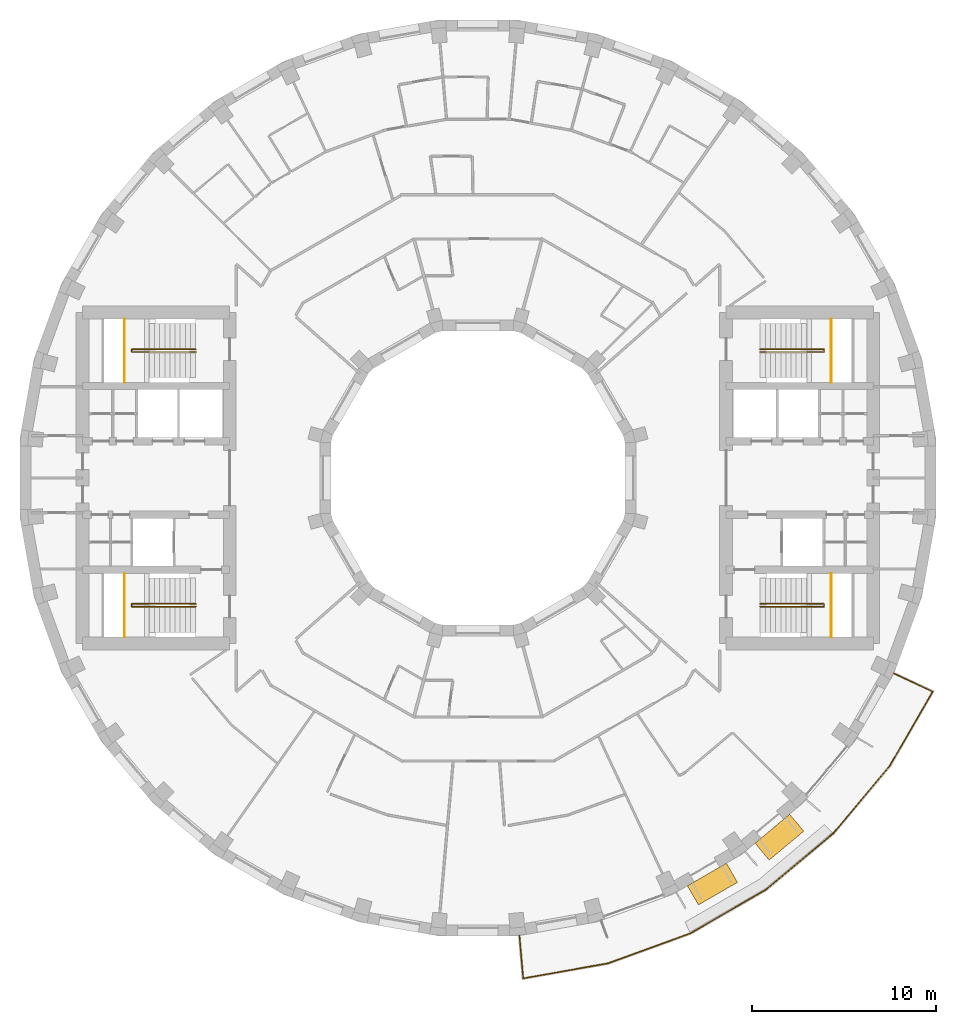
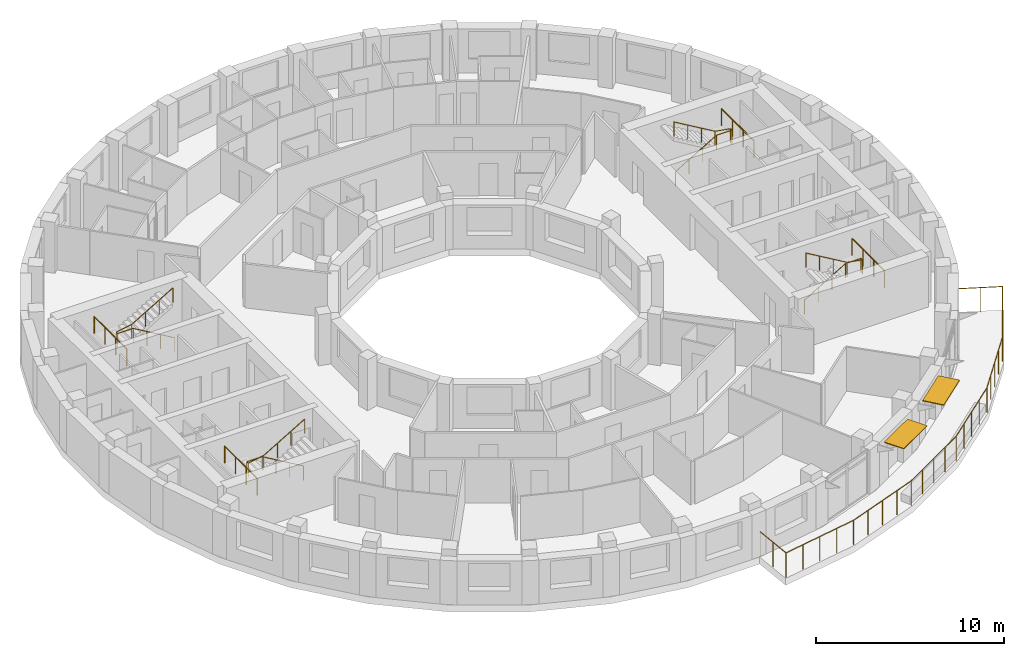
# One storey, part 15 of 15: 9 railings, 2 shading devices.
"""IFC4 building model written with IfcOpenShell, lengths in metres."""

from ifc_helpers import new_model, si_unit, direction, frame, origin, origin_2d, place, context, subcontext, project, spatial, rectangle, circle, extrude, material, layer, layer_set, type_object, element, save


model = new_model("IFC4")

# Units and contexts
model_context = context("Model", 3, precision=1e-05, world=origin(), true_north=direction((0.0, 1.0)))
body_context = subcontext(model_context, "Body", "Model", "MODEL_VIEW")
ifc_project = project(units=[si_unit("LENGTHUNIT", "METRE"), si_unit("AREAUNIT", "SQUARE_METRE"), si_unit("VOLUMEUNIT", "CUBIC_METRE"), si_unit("PLANEANGLEUNIT", "RADIAN"), si_unit("MASSUNIT", "GRAM", prefix="KILO")], contexts=[model_context])

# Site, building, storey
site_placement = place(None, origin())
site = spatial("IfcSite", under=ifc_project, at=site_placement, CompositionType="ELEMENT")
building_placement = place(site_placement, origin())
building = spatial("IfcBuilding", under=site, at=building_placement, Name="Saqina Gate Tower", CompositionType="ELEMENT")
storey_placement = place(building_placement, frame((0.0, 0.0, 160.800048828125)))
storey = spatial("IfcBuildingStorey", under=building, at=storey_placement, Name="L45", CompositionType="ELEMENT", Elevation=160.800048828125)

# Shading devices
ifc_material_1 = material(Name="Aluminium and fabric awning", Category="aluminium")
ifc_layer = layer(ifc_material_1, 0.050048828125)
ifc_layer_set = layer_set([ifc_layer], Name="AW-TERRACE")
shading_device_type = type_object("IfcShadingDeviceType", Name="AW-TERRACE", PredefinedType="AWNING", material=ifc_layer_set)
for number, where, z_axis, x_axis, name in (
    (1, (12.75244140625, -22.087890625, 2.52490234375), (0.0, 0.0, 1.0), (0.866025403784, 0.5, 0.0), "Terrace awning L45 facet 30"),
    (2, (16.394287109375, -19.537841796875, 2.52490234375), (0.0, 0.0, 1.0), (0.766044443119, 0.642787609687, 0.0), "Terrace awning L45 facet 31"),
):
    element("IfcShadingDevice", number, at=place(storey_placement, frame(where, z_axis=z_axis, x_axis=x_axis)), inside=storey, type_object=shading_device_type, Name=name, PredefinedType="AWNING", context=body_context, shape_type="SweptSolid", body=[
        extrude(rectangle(XDim=2.44970703125, YDim=1.199951171875, at=origin_2d()), origin(), (0.0, 0.0, 1.0), 0.050048828125),
    ])

# Railings
ifc_material_2 = material(Name="Stainless steel", Category="steel")
railing_type_1 = type_object("IfcRailingType", Name="RL-TERRACE", PredefinedType="GUARDRAIL", material=ifc_material_2)
railing_1_placement = place(storey_placement, frame((2.25341796875, -24.838134765625, 0.0)))
element("IfcRailing", 3, at=railing_1_placement, inside=storey, type_object=railing_type_1, Name="Terrace guard L45", PredefinedType="GUARDRAIL", context=body_context, shape_type="SweptSolid", body=[
    extrude(circle(Radius=0.02392578125, at=origin_2d()), frame((0.0, 0.0, 1.576171875), z_axis=(0.087172021187, -0.996193273779, 0.0), x_axis=(0.996193273779, 0.087172021187, 0.0)), (0.0, 0.0, 1.0), 2.388916015625),
    extrude(circle(Radius=0.02392578125, at=origin_2d()), frame((0.208251953125, -2.3798828125, 1.576171875), z_axis=(0.984544937317, 0.175132139837, 0.0), x_axis=(-0.175132139837, 0.984544937317, 0.0)), (0.0, 0.0, 1.0), 4.68408203125),
    extrude(circle(Radius=0.02392578125, at=origin_2d()), frame((4.81982421875, -1.5595703125, 1.576171875), z_axis=(0.939688638318, 0.342031084868, 0.0), x_axis=(-0.342031084868, 0.939688638318, 0.0)), (0.0, 0.0, 1.0), 4.763916015625),
    extrude(circle(Radius=0.02392578125, at=origin_2d()), frame((9.29638671875, 0.06982421875, 1.576171875), z_axis=(0.866026842905, 0.499997507361, 0.0), x_axis=(-0.499997507361, 0.866026842905, 0.0)), (0.0, 0.0, 1.0), 4.763671875),
    extrude(circle(Radius=0.02392578125, at=origin_2d()), frame((13.421875, 2.45166015625, 1.576171875), z_axis=(0.766045003037, 0.642786942402, 0.0), x_axis=(-0.642786942402, 0.766045003037, 0.0)), (0.0, 0.0, 1.0), 4.763671875),
    extrude(circle(Radius=0.02392578125, at=origin_2d()), frame((17.071044921875, 5.513671875, 1.576171875), z_axis=(0.642786942402, 0.766045003037, 0.0), x_axis=(-0.766045003037, 0.642786942402, 0.0)), (0.0, 0.0, 1.0), 4.763671875),
    extrude(circle(Radius=0.02392578125, at=origin_2d()), frame((20.133056640625, 9.162841796875, 1.576171875), z_axis=(0.501305396981, 0.865270419555, 0.0), x_axis=(-0.865270419555, 0.501305396981, 0.0)), (0.0, 0.0, 1.0), 4.68408203125),
    extrude(circle(Radius=0.02392578125, at=origin_2d()), frame((22.481201171875, 13.2158203125, 1.576171875), z_axis=(-0.906277108403, 0.422684046048, 0.0), x_axis=(-0.422684046048, -0.906277108403, 0.0)), (0.0, 0.0, 1.0), 2.388916015625),
    extrude(circle(Radius=0.02099609375, at=origin_2d()), origin(), (0.0, 0.0, 1.0), 1.552001953125),
    extrude(circle(Radius=0.02099609375, at=origin_2d()), frame((0.10400390625, -1.18994140625, 0.0)), (0.0, 0.0, 1.0), 1.552001953125),
    extrude(circle(Radius=0.02099609375, at=origin_2d()), frame((0.208251953125, -2.3798828125, 0.0)), (0.0, 0.0, 1.0), 1.552001953125),
    extrude(circle(Radius=0.02099609375, at=origin_2d()), frame((1.361083984375, -2.1748046875, 0.0)), (0.0, 0.0, 1.0), 1.552001953125),
    extrude(circle(Radius=0.02099609375, at=origin_2d()), frame((2.51416015625, -1.9697265625, 0.0)), (0.0, 0.0, 1.0), 1.552001953125),
    extrude(circle(Radius=0.02099609375, at=origin_2d()), frame((3.6669921875, -1.7646484375, 0.0)), (0.0, 0.0, 1.0), 1.552001953125),
    extrude(circle(Radius=0.02099609375, at=origin_2d()), frame((4.81982421875, -1.5595703125, 0.0)), (0.0, 0.0, 1.0), 1.552001953125),
    extrude(circle(Radius=0.02099609375, at=origin_2d()), frame((5.93896484375, -1.15234375, 0.0)), (0.0, 0.0, 1.0), 1.552001953125),
    extrude(circle(Radius=0.02099609375, at=origin_2d()), frame((7.05810546875, -0.744873046875, 0.0)), (0.0, 0.0, 1.0), 1.552001953125),
    extrude(circle(Radius=0.02099609375, at=origin_2d()), frame((8.17724609375, -0.33740234375, 0.0)), (0.0, 0.0, 1.0), 1.552001953125),
    extrude(circle(Radius=0.02099609375, at=origin_2d()), frame((9.29638671875, 0.06982421875, 0.0)), (0.0, 0.0, 1.0), 1.552001953125),
    extrude(circle(Radius=0.02099609375, at=origin_2d()), frame((10.32763671875, 0.665283203125, 0.0)), (0.0, 0.0, 1.0), 1.552001953125),
    extrude(circle(Radius=0.02099609375, at=origin_2d()), frame((11.359130859375, 1.2607421875, 0.0)), (0.0, 0.0, 1.0), 1.552001953125),
    extrude(circle(Radius=0.02099609375, at=origin_2d()), frame((12.390625, 1.856201171875, 0.0)), (0.0, 0.0, 1.0), 1.552001953125),
    extrude(circle(Radius=0.02099609375, at=origin_2d()), frame((13.421875, 2.45166015625, 0.0)), (0.0, 0.0, 1.0), 1.552001953125),
    extrude(circle(Radius=0.02099609375, at=origin_2d()), frame((14.334228515625, 3.21728515625, 0.0)), (0.0, 0.0, 1.0), 1.552001953125),
    extrude(circle(Radius=0.02099609375, at=origin_2d()), frame((15.24658203125, 3.982666015625, 0.0)), (0.0, 0.0, 1.0), 1.552001953125),
    extrude(circle(Radius=0.02099609375, at=origin_2d()), frame((16.15869140625, 4.748046875, 0.0)), (0.0, 0.0, 1.0), 1.552001953125),
    extrude(circle(Radius=0.02099609375, at=origin_2d()), frame((17.071044921875, 5.513671875, 0.0)), (0.0, 0.0, 1.0), 1.552001953125),
    extrude(circle(Radius=0.02099609375, at=origin_2d()), frame((17.83642578125, 6.426025390625, 0.0)), (0.0, 0.0, 1.0), 1.552001953125),
    extrude(circle(Radius=0.02099609375, at=origin_2d()), frame((18.60205078125, 7.33837890625, 0.0)), (0.0, 0.0, 1.0), 1.552001953125),
    extrude(circle(Radius=0.02099609375, at=origin_2d()), frame((19.36767578125, 8.25048828125, 0.0)), (0.0, 0.0, 1.0), 1.552001953125),
    extrude(circle(Radius=0.02099609375, at=origin_2d()), frame((20.133056640625, 9.162841796875, 0.0)), (0.0, 0.0, 1.0), 1.552001953125),
    extrude(circle(Radius=0.02099609375, at=origin_2d()), frame((20.72021484375, 10.176025390625, 0.0)), (0.0, 0.0, 1.0), 1.552001953125),
    extrude(circle(Radius=0.02099609375, at=origin_2d()), frame((21.30712890625, 11.189453125, 0.0)), (0.0, 0.0, 1.0), 1.552001953125),
    extrude(circle(Radius=0.02099609375, at=origin_2d()), frame((21.89404296875, 12.20263671875, 0.0)), (0.0, 0.0, 1.0), 1.552001953125),
    extrude(circle(Radius=0.02099609375, at=origin_2d()), frame((22.481201171875, 13.2158203125, 0.0)), (0.0, 0.0, 1.0), 1.552001953125),
    extrude(circle(Radius=0.02099609375, at=origin_2d()), frame((21.398681640625, 13.720703125, 0.0)), (0.0, 0.0, 1.0), 1.552001953125),
    extrude(circle(Radius=0.02099609375, at=origin_2d()), frame((20.316162109375, 14.2255859375, 0.0)), (0.0, 0.0, 1.0), 1.552001953125),
])
ifc_material_3 = material(Name="Stainless steel", Category="steel")
railing_type_2 = type_object("IfcRailingType", Name="STAIR GUARD", PredefinedType="GUARDRAIL", material=ifc_material_3)
railing_2_placement = place(storey_placement, frame((19.219970703125, 5.199951171875, 1.64990234375)))
element("IfcRailing", 4, at=railing_2_placement, inside=storey, type_object=railing_type_2, Name="STAIR GUARD", PredefinedType="GUARDRAIL", context=body_context, shape_type="SweptSolid", body=[
    extrude(circle(Radius=0.02392578125, at=origin_2d()), frame((0.0, 0.0, 1.076171875), z_axis=(0.0, 1.0, 0.0), x_axis=(-1.0, 0.0, 0.0)), (0.0, 0.0, 1.0), 3.449951171875),
    extrude(circle(Radius=0.02099609375, at=origin_2d()), origin(), (0.0, 0.0, 1.0), 1.052001953125),
    extrude(circle(Radius=0.02099609375, at=origin_2d()), frame((0.0, 1.14990234375, 0.0)), (0.0, 0.0, 1.0), 1.052001953125),
    extrude(circle(Radius=0.02099609375, at=origin_2d()), frame((0.0, 2.300048828125, 0.0)), (0.0, 0.0, 1.0), 1.052001953125),
    extrude(circle(Radius=0.02099609375, at=origin_2d()), frame((0.0, 3.449951171875, 0.0)), (0.0, 0.0, 1.0), 1.052001953125),
])
railing_3_placement = place(storey_placement, frame((19.219970703125, -5.199951171875, 1.64990234375)))
element("IfcRailing", 5, at=railing_3_placement, inside=storey, type_object=railing_type_2, Name="STAIR GUARD", PredefinedType="GUARDRAIL", context=body_context, shape_type="SweptSolid", body=[
    extrude(circle(Radius=0.02392578125, at=origin_2d()), frame((0.0, 0.0, 1.076171875), z_axis=(0.0, -1.0, 0.0), x_axis=(1.0, 0.0, 0.0)), (0.0, 0.0, 1.0), 3.449951171875),
    extrude(circle(Radius=0.02099609375, at=origin_2d()), origin(), (0.0, 0.0, 1.0), 1.052001953125),
    extrude(circle(Radius=0.02099609375, at=origin_2d()), frame((0.0, -1.14990234375, 0.0)), (0.0, 0.0, 1.0), 1.052001953125),
    extrude(circle(Radius=0.02099609375, at=origin_2d()), frame((0.0, -2.300048828125, 0.0)), (0.0, 0.0, 1.0), 1.052001953125),
    extrude(circle(Radius=0.02099609375, at=origin_2d()), frame((0.0, -3.449951171875, 0.0)), (0.0, 0.0, 1.0), 1.052001953125),
])
railing_4_placement = place(storey_placement, frame((-19.219970703125, 5.199951171875, 1.64990234375)))
element("IfcRailing", 6, at=railing_4_placement, inside=storey, type_object=railing_type_2, Name="STAIR GUARD", PredefinedType="GUARDRAIL", context=body_context, shape_type="SweptSolid", body=[
    extrude(circle(Radius=0.02392578125, at=origin_2d()), frame((0.0, 0.0, 1.076171875), z_axis=(0.0, 1.0, 0.0), x_axis=(-1.0, 0.0, 0.0)), (0.0, 0.0, 1.0), 3.449951171875),
    extrude(circle(Radius=0.02099609375, at=origin_2d()), origin(), (0.0, 0.0, 1.0), 1.052001953125),
    extrude(circle(Radius=0.02099609375, at=origin_2d()), frame((0.0, 1.14990234375, 0.0)), (0.0, 0.0, 1.0), 1.052001953125),
    extrude(circle(Radius=0.02099609375, at=origin_2d()), frame((0.0, 2.300048828125, 0.0)), (0.0, 0.0, 1.0), 1.052001953125),
    extrude(circle(Radius=0.02099609375, at=origin_2d()), frame((0.0, 3.449951171875, 0.0)), (0.0, 0.0, 1.0), 1.052001953125),
])
railing_5_placement = place(storey_placement, frame((-19.219970703125, -5.199951171875, 1.64990234375)))
element("IfcRailing", 7, at=railing_5_placement, inside=storey, type_object=railing_type_2, Name="STAIR GUARD", PredefinedType="GUARDRAIL", context=body_context, shape_type="SweptSolid", body=[
    extrude(circle(Radius=0.02392578125, at=origin_2d()), frame((0.0, 0.0, 1.076171875), z_axis=(0.0, -1.0, 0.0), x_axis=(1.0, 0.0, 0.0)), (0.0, 0.0, 1.0), 3.449951171875),
    extrude(circle(Radius=0.02099609375, at=origin_2d()), origin(), (0.0, 0.0, 1.0), 1.052001953125),
    extrude(circle(Radius=0.02099609375, at=origin_2d()), frame((0.0, -1.14990234375, 0.0)), (0.0, 0.0, 1.0), 1.052001953125),
    extrude(circle(Radius=0.02099609375, at=origin_2d()), frame((0.0, -2.300048828125, 0.0)), (0.0, 0.0, 1.0), 1.052001953125),
    extrude(circle(Radius=0.02099609375, at=origin_2d()), frame((0.0, -3.449951171875, 0.0)), (0.0, 0.0, 1.0), 1.052001953125),
])
ifc_material_4 = material(Name="Stainless steel", Category="steel")
railing_type_3 = type_object("IfcRailingType", Name="STAIR HANDRAIL", PredefinedType="HANDRAIL", material=ifc_material_4)
railing_6_placement = place(storey_placement, frame((15.35009765625, 6.85009765625, 0.1650390625)))
element("IfcRailing", 8, at=railing_6_placement, inside=storey, type_object=railing_type_3, Name="EXIT STAIR 1 HANDRAIL", PredefinedType="HANDRAIL", context=body_context, shape_type="SweptSolid", body=[
    extrude(circle(Radius=0.02392578125, at=origin_2d()), frame((0.0, 0.0, 0.92578125), z_axis=(0.861560626758, 0.0, 0.507654692109), x_axis=(0.0, 1.0, 0.0)), (0.0, 0.0, 1.0), 2.925048828125),
    extrude(circle(Radius=0.02392578125, at=origin_2d()), frame((2.52001953125, 0.0, 2.41064453125), z_axis=(1.0, 0.0, 0.0), x_axis=(0.0, 1.0, 0.0)), (0.0, 0.0, 1.0), 0.949951171875),
    extrude(circle(Radius=0.02392578125, at=origin_2d()), frame((3.469970703125, 0.0, 2.41064453125), z_axis=(0.0, 1.0, 0.0), x_axis=(-1.0, 0.0, 0.0)), (0.0, 0.0, 1.0), 0.14990234375),
    extrude(circle(Radius=0.02392578125, at=origin_2d()), frame((3.469970703125, 0.14990234375, 2.41064453125), z_axis=(-0.985241474778, 0.0, 0.171170197109), x_axis=(0.0, -1.0, 0.0)), (0.0, 0.0, 1.0), 0.964111328125),
    extrude(circle(Radius=0.02392578125, at=origin_2d()), frame((2.52001953125, 0.14990234375, 2.57568359375), z_axis=(-0.86152411907, 0.0, 0.507716645641), x_axis=(0.0, -1.0, 0.0)), (0.0, 0.0, 1.0), 2.925048828125),
    extrude(circle(Radius=0.02099609375, at=origin_2d()), origin(), (0.0, 0.0, 1.0), 0.90185546875),
    extrude(circle(Radius=0.02099609375, at=origin_2d()), frame((0.840087890625, 0.0, 0.494873046875)), (0.0, 0.0, 1.0), 0.90185546875),
    extrude(circle(Radius=0.02099609375, at=origin_2d()), frame((1.679931640625, 0.0, 0.989990234375)), (0.0, 0.0, 1.0), 0.90185546875),
    extrude(circle(Radius=0.02099609375, at=origin_2d()), frame((2.52001953125, 0.0, 1.48486328125)), (0.0, 0.0, 1.0), 0.90185546875),
    extrude(circle(Radius=0.02099609375, at=origin_2d()), frame((3.469970703125, 0.0, 1.48486328125)), (0.0, 0.0, 1.0), 0.90185546875),
    extrude(circle(Radius=0.02099609375, at=origin_2d()), frame((3.469970703125, 0.14990234375, 1.48486328125)), (0.0, 0.0, 1.0), 0.90185546875),
    extrude(circle(Radius=0.02099609375, at=origin_2d()), frame((2.52001953125, 0.14990234375, 1.64990234375)), (0.0, 0.0, 1.0), 0.90185546875),
    extrude(circle(Radius=0.02099609375, at=origin_2d()), frame((1.679931640625, 0.14990234375, 2.14501953125)), (0.0, 0.0, 1.0), 0.90185546875),
    extrude(circle(Radius=0.02099609375, at=origin_2d()), frame((0.840087890625, 0.14990234375, 2.639892578125)), (0.0, 0.0, 1.0), 0.90185546875),
    extrude(circle(Radius=0.02099609375, at=origin_2d()), frame((0.0, 0.14990234375, 3.135009765625)), (0.0, 0.0, 1.0), 0.90185546875),
])
railing_7_placement = place(storey_placement, frame((15.35009765625, -6.85009765625, 0.1650390625)))
element("IfcRailing", 9, at=railing_7_placement, inside=storey, type_object=railing_type_3, Name="EXIT STAIR 2 HANDRAIL", PredefinedType="HANDRAIL", context=body_context, shape_type="SweptSolid", body=[
    extrude(circle(Radius=0.02392578125, at=origin_2d()), frame((0.0, 0.0, 0.92578125), z_axis=(0.861560626758, 0.0, 0.507654692109), x_axis=(0.0, 1.0, 0.0)), (0.0, 0.0, 1.0), 2.925048828125),
    extrude(circle(Radius=0.02392578125, at=origin_2d()), frame((2.52001953125, 0.0, 2.41064453125), z_axis=(1.0, 0.0, 0.0), x_axis=(0.0, 1.0, 0.0)), (0.0, 0.0, 1.0), 0.949951171875),
    extrude(circle(Radius=0.02392578125, at=origin_2d()), frame((3.469970703125, 0.0, 2.41064453125), z_axis=(0.0, -1.0, 0.0), x_axis=(1.0, 0.0, 0.0)), (0.0, 0.0, 1.0), 0.14990234375),
    extrude(circle(Radius=0.02392578125, at=origin_2d()), frame((3.469970703125, -0.14990234375, 2.41064453125), z_axis=(-0.985241474778, 0.0, 0.171170197109), x_axis=(0.0, -1.0, 0.0)), (0.0, 0.0, 1.0), 0.964111328125),
    extrude(circle(Radius=0.02392578125, at=origin_2d()), frame((2.52001953125, -0.14990234375, 2.57568359375), z_axis=(-0.86152411907, 0.0, 0.507716645641), x_axis=(0.0, -1.0, 0.0)), (0.0, 0.0, 1.0), 2.925048828125),
    extrude(circle(Radius=0.02099609375, at=origin_2d()), origin(), (0.0, 0.0, 1.0), 0.90185546875),
    extrude(circle(Radius=0.02099609375, at=origin_2d()), frame((0.840087890625, 0.0, 0.494873046875)), (0.0, 0.0, 1.0), 0.90185546875),
    extrude(circle(Radius=0.02099609375, at=origin_2d()), frame((1.679931640625, 0.0, 0.989990234375)), (0.0, 0.0, 1.0), 0.90185546875),
    extrude(circle(Radius=0.02099609375, at=origin_2d()), frame((2.52001953125, 0.0, 1.48486328125)), (0.0, 0.0, 1.0), 0.90185546875),
    extrude(circle(Radius=0.02099609375, at=origin_2d()), frame((3.469970703125, 0.0, 1.48486328125)), (0.0, 0.0, 1.0), 0.90185546875),
    extrude(circle(Radius=0.02099609375, at=origin_2d()), frame((3.469970703125, -0.14990234375, 1.48486328125)), (0.0, 0.0, 1.0), 0.90185546875),
    extrude(circle(Radius=0.02099609375, at=origin_2d()), frame((2.52001953125, -0.14990234375, 1.64990234375)), (0.0, 0.0, 1.0), 0.90185546875),
    extrude(circle(Radius=0.02099609375, at=origin_2d()), frame((1.679931640625, -0.14990234375, 2.14501953125)), (0.0, 0.0, 1.0), 0.90185546875),
    extrude(circle(Radius=0.02099609375, at=origin_2d()), frame((0.840087890625, -0.14990234375, 2.639892578125)), (0.0, 0.0, 1.0), 0.90185546875),
    extrude(circle(Radius=0.02099609375, at=origin_2d()), frame((0.0, -0.14990234375, 3.135009765625)), (0.0, 0.0, 1.0), 0.90185546875),
])
railing_8_placement = place(storey_placement, frame((-15.35009765625, 6.85009765625, 0.1650390625)))
element("IfcRailing", 10, at=railing_8_placement, inside=storey, type_object=railing_type_3, Name="EXIT STAIR 3 HANDRAIL", PredefinedType="HANDRAIL", context=body_context, shape_type="SweptSolid", body=[
    extrude(circle(Radius=0.02392578125, at=origin_2d()), frame((0.0, 0.0, 0.92578125), z_axis=(-0.861560626758, 0.0, 0.507654692109), x_axis=(0.0, -1.0, 0.0)), (0.0, 0.0, 1.0), 2.925048828125),
    extrude(circle(Radius=0.02392578125, at=origin_2d()), frame((-2.52001953125, 0.0, 2.41064453125), z_axis=(-1.0, 0.0, 0.0), x_axis=(0.0, -1.0, 0.0)), (0.0, 0.0, 1.0), 0.949951171875),
    extrude(circle(Radius=0.02392578125, at=origin_2d()), frame((-3.469970703125, 0.0, 2.41064453125), z_axis=(0.0, 1.0, 0.0), x_axis=(-1.0, 0.0, 0.0)), (0.0, 0.0, 1.0), 0.14990234375),
    extrude(circle(Radius=0.02392578125, at=origin_2d()), frame((-3.469970703125, 0.14990234375, 2.41064453125), z_axis=(0.985241474778, 0.0, 0.171170197109), x_axis=(0.0, 1.0, 0.0)), (0.0, 0.0, 1.0), 0.964111328125),
    extrude(circle(Radius=0.02392578125, at=origin_2d()), frame((-2.52001953125, 0.14990234375, 2.57568359375), z_axis=(0.86152411907, 0.0, 0.507716645641), x_axis=(0.0, 1.0, 0.0)), (0.0, 0.0, 1.0), 2.925048828125),
    extrude(circle(Radius=0.02099609375, at=origin_2d()), origin(), (0.0, 0.0, 1.0), 0.90185546875),
    extrude(circle(Radius=0.02099609375, at=origin_2d()), frame((-0.840087890625, 0.0, 0.494873046875)), (0.0, 0.0, 1.0), 0.90185546875),
    extrude(circle(Radius=0.02099609375, at=origin_2d()), frame((-1.679931640625, 0.0, 0.989990234375)), (0.0, 0.0, 1.0), 0.90185546875),
    extrude(circle(Radius=0.02099609375, at=origin_2d()), frame((-2.52001953125, 0.0, 1.48486328125)), (0.0, 0.0, 1.0), 0.90185546875),
    extrude(circle(Radius=0.02099609375, at=origin_2d()), frame((-3.469970703125, 0.0, 1.48486328125)), (0.0, 0.0, 1.0), 0.90185546875),
    extrude(circle(Radius=0.02099609375, at=origin_2d()), frame((-3.469970703125, 0.14990234375, 1.48486328125)), (0.0, 0.0, 1.0), 0.90185546875),
    extrude(circle(Radius=0.02099609375, at=origin_2d()), frame((-2.52001953125, 0.14990234375, 1.64990234375)), (0.0, 0.0, 1.0), 0.90185546875),
    extrude(circle(Radius=0.02099609375, at=origin_2d()), frame((-1.679931640625, 0.14990234375, 2.14501953125)), (0.0, 0.0, 1.0), 0.90185546875),
    extrude(circle(Radius=0.02099609375, at=origin_2d()), frame((-0.840087890625, 0.14990234375, 2.639892578125)), (0.0, 0.0, 1.0), 0.90185546875),
    extrude(circle(Radius=0.02099609375, at=origin_2d()), frame((0.0, 0.14990234375, 3.135009765625)), (0.0, 0.0, 1.0), 0.90185546875),
])
railing_9_placement = place(storey_placement, frame((-15.35009765625, -6.85009765625, 0.1650390625)))
element("IfcRailing", 11, at=railing_9_placement, inside=storey, type_object=railing_type_3, Name="EXIT STAIR 4 HANDRAIL", PredefinedType="HANDRAIL", context=body_context, shape_type="SweptSolid", body=[
    extrude(circle(Radius=0.02392578125, at=origin_2d()), frame((0.0, 0.0, 0.92578125), z_axis=(-0.861560626758, 0.0, 0.507654692109), x_axis=(0.0, -1.0, 0.0)), (0.0, 0.0, 1.0), 2.925048828125),
    extrude(circle(Radius=0.02392578125, at=origin_2d()), frame((-2.52001953125, 0.0, 2.41064453125), z_axis=(-1.0, 0.0, 0.0), x_axis=(0.0, -1.0, 0.0)), (0.0, 0.0, 1.0), 0.949951171875),
    extrude(circle(Radius=0.02392578125, at=origin_2d()), frame((-3.469970703125, 0.0, 2.41064453125), z_axis=(0.0, -1.0, 0.0), x_axis=(1.0, 0.0, 0.0)), (0.0, 0.0, 1.0), 0.14990234375),
    extrude(circle(Radius=0.02392578125, at=origin_2d()), frame((-3.469970703125, -0.14990234375, 2.41064453125), z_axis=(0.985241474778, 0.0, 0.171170197109), x_axis=(0.0, 1.0, 0.0)), (0.0, 0.0, 1.0), 0.964111328125),
    extrude(circle(Radius=0.02392578125, at=origin_2d()), frame((-2.52001953125, -0.14990234375, 2.57568359375), z_axis=(0.86152411907, 0.0, 0.507716645641), x_axis=(0.0, 1.0, 0.0)), (0.0, 0.0, 1.0), 2.925048828125),
    extrude(circle(Radius=0.02099609375, at=origin_2d()), origin(), (0.0, 0.0, 1.0), 0.90185546875),
    extrude(circle(Radius=0.02099609375, at=origin_2d()), frame((-0.840087890625, 0.0, 0.494873046875)), (0.0, 0.0, 1.0), 0.90185546875),
    extrude(circle(Radius=0.02099609375, at=origin_2d()), frame((-1.679931640625, 0.0, 0.989990234375)), (0.0, 0.0, 1.0), 0.90185546875),
    extrude(circle(Radius=0.02099609375, at=origin_2d()), frame((-2.52001953125, 0.0, 1.48486328125)), (0.0, 0.0, 1.0), 0.90185546875),
    extrude(circle(Radius=0.02099609375, at=origin_2d()), frame((-3.469970703125, 0.0, 1.48486328125)), (0.0, 0.0, 1.0), 0.90185546875),
    extrude(circle(Radius=0.02099609375, at=origin_2d()), frame((-3.469970703125, -0.14990234375, 1.48486328125)), (0.0, 0.0, 1.0), 0.90185546875),
    extrude(circle(Radius=0.02099609375, at=origin_2d()), frame((-2.52001953125, -0.14990234375, 1.64990234375)), (0.0, 0.0, 1.0), 0.90185546875),
    extrude(circle(Radius=0.02099609375, at=origin_2d()), frame((-1.679931640625, -0.14990234375, 2.14501953125)), (0.0, 0.0, 1.0), 0.90185546875),
    extrude(circle(Radius=0.02099609375, at=origin_2d()), frame((-0.840087890625, -0.14990234375, 2.639892578125)), (0.0, 0.0, 1.0), 0.90185546875),
    extrude(circle(Radius=0.02099609375, at=origin_2d()), frame((0.0, -0.14990234375, 3.135009765625)), (0.0, 0.0, 1.0), 0.90185546875),
])

save(model, "model.ifc")
